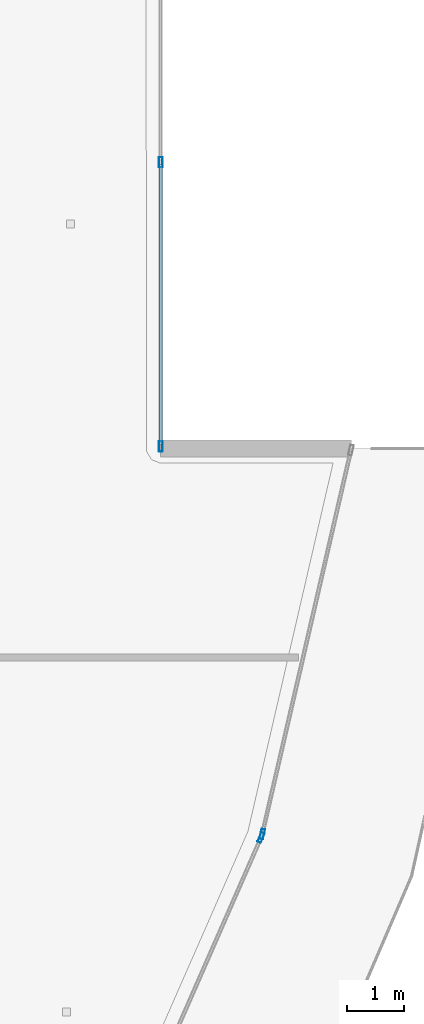
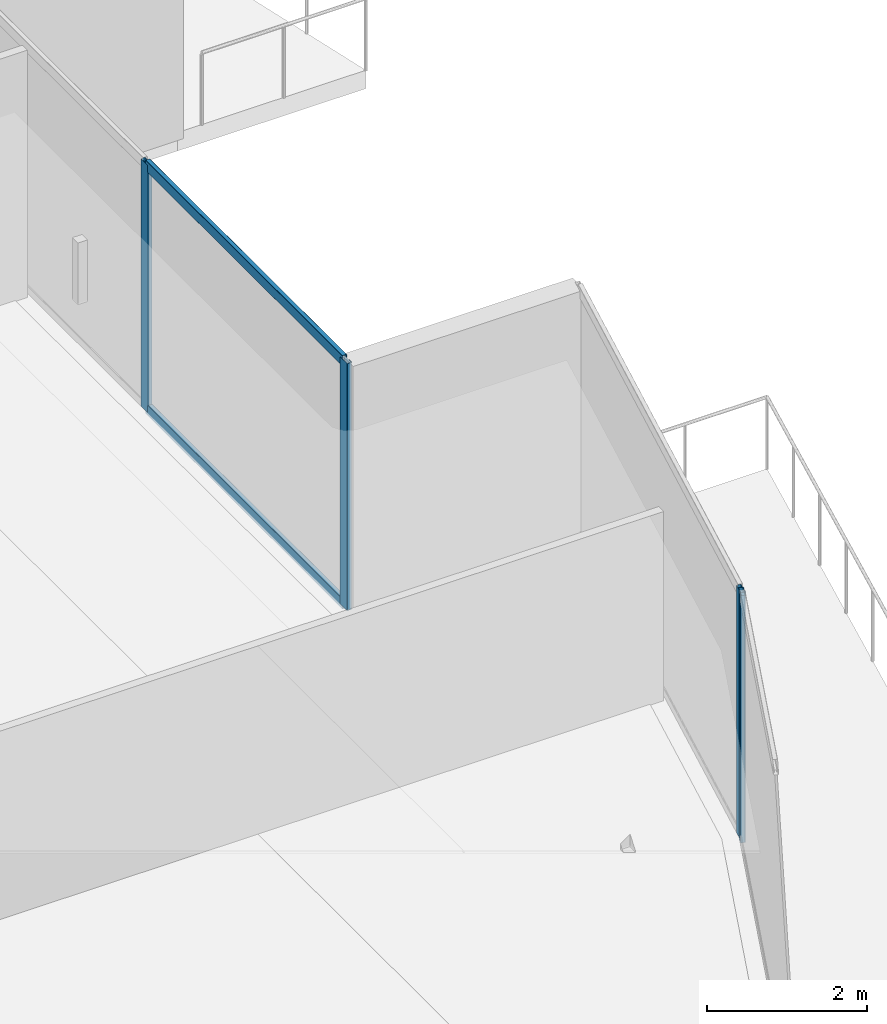
# One storey, part 12 of 44: 6 members, 3 elements without a shape of their own.
"""IFC4 building model written with IfcOpenShell, lengths in metres."""

from ifc_helpers import new_model, si_unit, direction, frame, origin, origin_2d, place, context, subcontext, project, spatial, hollow_rectangle, extrude, material, layer, layer_set, material_profile, profile_set, type_object, element, aggregate, save


model = new_model("IFC4")

# Units and contexts
model_context = context("Model", 3, precision=1e-05, world=origin(), true_north=direction((0.0, 1.0)))
body_context = subcontext(model_context, "Body", "Model", "MODEL_VIEW")
ifc_project = project(units=[si_unit("LENGTHUNIT", "METRE"), si_unit("AREAUNIT", "SQUARE_METRE"), si_unit("VOLUMEUNIT", "CUBIC_METRE"), si_unit("PLANEANGLEUNIT", "RADIAN"), si_unit("MASSUNIT", "GRAM", prefix="KILO")], contexts=[model_context])

# Site, building, storey
site_placement = place(None, origin())
site = spatial("IfcSite", under=ifc_project, at=site_placement, CompositionType="ELEMENT")
building_placement = place(site_placement, origin())
building = spatial("IfcBuilding", under=site, at=building_placement, Name="Qorvath Tower", CompositionType="ELEMENT")
storey_placement = place(building_placement, frame((0.0, 0.0, 113.85009765625)))
storey = spatial("IfcBuildingStorey", under=building, at=storey_placement, Name="L25", CompositionType="ELEMENT", Elevation=113.85009765625)

# Curtain wall, member
ifc_material_1 = material(Name="Anodised aluminium and triple low-E glass", Category="aluminium")
ifc_layer = layer(ifc_material_1, 0.179931640625)
ifc_layer_set = layer_set([ifc_layer], Name="CW-SYS-2")
curtain_wall_type = type_object("IfcCurtainWallType", Name="CW-SYS-2", PredefinedType="NOTDEFINED", material=ifc_layer_set)
curtain_wall_1_placement = place(storey_placement, origin())
curtain_wall_1 = element("IfcCurtainWall", 1, at=curtain_wall_1_placement, inside=storey, type_object=curtain_wall_type, Name="Curtain Wall CW-2 CW-T-L25-6.1", PredefinedType="NOTDEFINED")
ifc_material_2 = material(Name="Anodised aluminium 6063-T6", Category="aluminium")
ifc_material_profile_1 = material_profile(ifc_material_2, hollow_rectangle(XDim=0.06494140625, YDim=0.179931640625, WallThickness=0.00341796875, InnerFilletRadius=0.00341796875, OuterFilletRadius=0.007080078125, at=origin_2d()), Name="CWM 180x65")
ifc_profile_set_1 = profile_set([ifc_material_profile_1], Name="Anodised aluminium 6063-T6")
member_type_1 = type_object("IfcMemberType", Name="CWM-180", PredefinedType="MULLION", material=ifc_profile_set_1)
member_1_placement = place(storey_placement, frame((3.4072265625, -11.82958984375, 0.0), z_axis=(0.0, 0.0, 1.0), x_axis=(-0.915821362935, 0.401585895161, 0.0)))
member_1 = element("IfcMember", 2, at=member_1_placement, type_object=member_type_1, Name="CW-2 mullion 2", PredefinedType="MULLION", context=body_context, shape_type="SweptSolid", body=[
    extrude(hollow_rectangle(XDim=0.06494140625, YDim=0.179931640625, WallThickness=0.00341796875, InnerFilletRadius=0.00341796875, OuterFilletRadius=0.007080078125, at=origin_2d()), origin(), (0.0, 0.0, 1.0), 3.77001953125),
])
aggregate(curtain_wall_1, [member_1])

curtain_wall_2_placement = place(storey_placement, origin())
curtain_wall_2 = element("IfcCurtainWall", 3, at=curtain_wall_2_placement, inside=storey, type_object=curtain_wall_type, Name="Curtain Wall CW-2 CW-T-L25-7.1", PredefinedType="NOTDEFINED")
member_2_placement = place(storey_placement, frame((3.427734375, -11.76806640625, 0.0), z_axis=(0.0, 0.0, 1.0), x_axis=(-0.974312521641, 0.225200155801, 0.0)))
member_2 = element("IfcMember", 4, at=member_2_placement, type_object=member_type_1, Name="CW-2 mullion 1", PredefinedType="MULLION", context=body_context, shape_type="SweptSolid", body=[
    extrude(hollow_rectangle(XDim=0.06494140625, YDim=0.179931640625, WallThickness=0.00341796875, InnerFilletRadius=0.00341796875, OuterFilletRadius=0.007080078125, at=origin_2d()), origin(), (0.0, 0.0, 1.0), 3.77001953125),
])
aggregate(curtain_wall_2, [member_2])

# Curtain wall, members
curtain_wall_3_placement = place(storey_placement, origin())
curtain_wall_3 = element("IfcCurtainWall", 5, at=curtain_wall_3_placement, inside=storey, type_object=curtain_wall_type, Name="Curtain Wall CW-2 CW-T-L25-9.1", PredefinedType="NOTDEFINED")
member_3_placement = place(storey_placement, frame((1.648681640625, -4.978759765625, 0.0), z_axis=(0.0, 0.0, 1.0), x_axis=(-1.0, 0.0, 0.0)))
member_3 = element("IfcMember", 6, at=member_3_placement, type_object=member_type_1, Name="CW-2 mullion 1", PredefinedType="MULLION", context=body_context, shape_type="SweptSolid", body=[
    extrude(hollow_rectangle(XDim=0.06494140625, YDim=0.179931640625, WallThickness=0.00341796875, InnerFilletRadius=0.00341796875, OuterFilletRadius=0.007080078125, at=origin_2d()), origin(), (0.0, 0.0, 1.0), 3.77001953125),
])
member_4_placement = place(storey_placement, frame((1.648681640625, 0.0, 0.0), z_axis=(0.0, 0.0, 1.0), x_axis=(-1.0, 0.0, 0.0)))
member_4 = element("IfcMember", 7, at=member_4_placement, type_object=member_type_1, Name="CW-2 mullion 2", PredefinedType="MULLION", context=body_context, shape_type="SweptSolid", body=[
    extrude(hollow_rectangle(XDim=0.06494140625, YDim=0.179931640625, WallThickness=0.00341796875, InnerFilletRadius=0.00341796875, OuterFilletRadius=0.007080078125, at=origin_2d()), origin(), (0.0, 0.0, 1.0), 3.77001953125),
])
ifc_material_3 = material(Name="Anodised aluminium 6063-T6", Category="aluminium")
ifc_material_profile_2 = material_profile(ifc_material_3, hollow_rectangle(XDim=0.06494140625, YDim=0.159912109375, WallThickness=0.00341796875, InnerFilletRadius=0.00341796875, OuterFilletRadius=0.007080078125, at=origin_2d()), Name="CWT 160x65")
ifc_profile_set_2 = profile_set([ifc_material_profile_2], Name="Anodised aluminium 6063-T6")
member_type_2 = type_object("IfcMemberType", Name="CWT-160", PredefinedType="USERDEFINED", material=ifc_profile_set_2)
member_5_placement = place(storey_placement, frame((1.648681640625, -4.9462890625, 0.032470703125), z_axis=(0.0, 1.0, 0.0), x_axis=(-1.0, 0.0, 0.0)))
member_5 = element("IfcMember", 8, at=member_5_placement, type_object=member_type_2, Name="CW-2 transom 1.1", ObjectType="TRANSOM", PredefinedType="USERDEFINED", context=body_context, shape_type="SweptSolid", body=[
    extrude(hollow_rectangle(XDim=0.06494140625, YDim=0.159912109375, WallThickness=0.00341796875, InnerFilletRadius=0.00341796875, OuterFilletRadius=0.007080078125, at=origin_2d()), origin(), (0.0, 0.0, 1.0), 4.913818359375),
])
member_6_placement = place(storey_placement, frame((1.648681640625, -4.9462890625, 3.737548828125), z_axis=(0.0, 1.0, 0.0), x_axis=(-1.0, 0.0, 0.0)))
member_6 = element("IfcMember", 9, at=member_6_placement, type_object=member_type_2, Name="CW-2 transom 1.2", ObjectType="TRANSOM", PredefinedType="USERDEFINED", context=body_context, shape_type="SweptSolid", body=[
    extrude(hollow_rectangle(XDim=0.06494140625, YDim=0.159912109375, WallThickness=0.00341796875, InnerFilletRadius=0.00341796875, OuterFilletRadius=0.007080078125, at=origin_2d()), origin(), (0.0, 0.0, 1.0), 4.913818359375),
])
aggregate(curtain_wall_3, [member_3, member_4, member_5, member_6])

save(model, "model.ifc")
